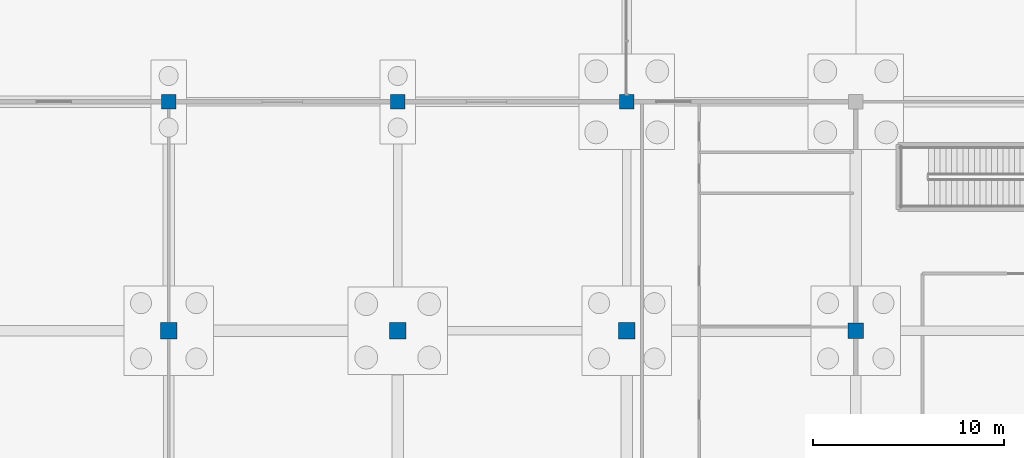
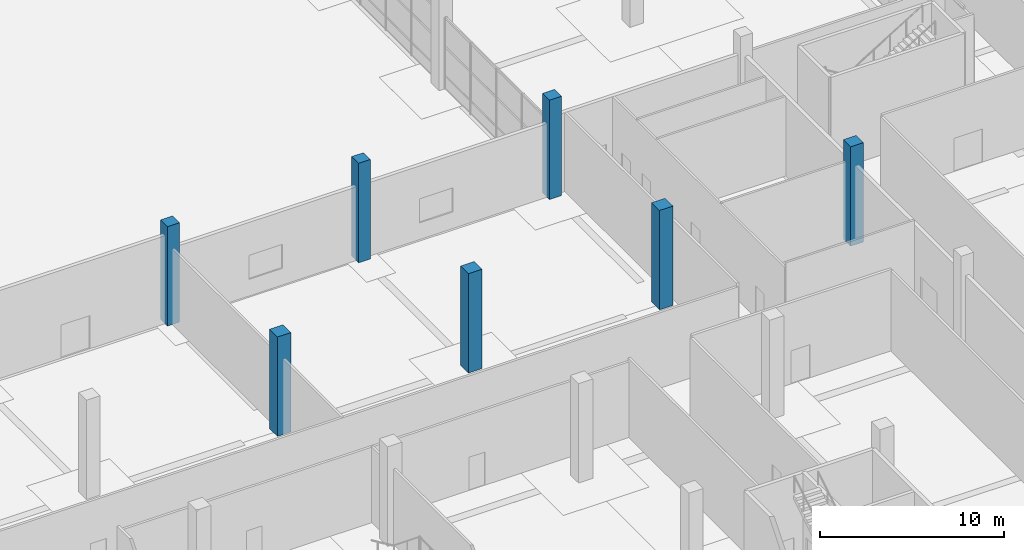
# One storey, part 30 of 117: 7 columns.
"""IFC4 building model written with IfcOpenShell, lengths in metres."""

import ifcopenshell
import ifcopenshell.guid

model = None  # the IFC model being written
_history = None  # IfcOwnerHistory: only IFC2X3 demands one
_inside = {}  # id of a spatial element -> (the spatial element, [elements in it])
_under = {}  # id of a project, library or spatial element -> (it, [spatial elements below it])
_declared = {}  # id of a project -> (the project, [libraries it declares])
_typed = {}  # id of a type object -> (the type object, [elements of that type])
_made_of = {}  # id of a material, layer set ... -> (it, [elements and type objects made of it])


def new_model(schema):
    """Start an empty IFC model of exactly this schema.

    Asked for "IFC4X3", IfcOpenShell would pick the latest addendum, in which some entities
    have other attributes; the version numbers below select the first issue.
    IFC2X3 requires an IfcOwnerHistory on every rooted entity: one is made here for all.
    """
    global model, _history
    if schema == "IFC4X3":
        model = ifcopenshell.file(schema_version=(4, 3, 0, 0))
    else:
        model = ifcopenshell.file(schema=schema)
    _inside.clear()
    _under.clear()
    _declared.clear()
    _typed.clear()
    _made_of.clear()
    _history = None
    if model.schema == "IFC2X3":
        org = make("IfcOrganization", Name="unknown")
        user = make(
            "IfcPersonAndOrganization",
            ThePerson=make("IfcPerson", FamilyName="unknown"),
            TheOrganization=org,
        )
        app = make(
            "IfcApplication",
            ApplicationDeveloper=org,
            Version="unknown",
            ApplicationFullName="unknown",
            ApplicationIdentifier="unknown",
        )
        _history = make(
            "IfcOwnerHistory",
            OwningUser=user,
            OwningApplication=app,
            ChangeAction="ADDED",
            CreationDate=0,
        )
    return model


def make(cls, **values):
    """One entity of the class cls with the attributes given. An attribute that is None is left unset."""
    return model.create_entity(
        cls, **{name: value for name, value in values.items() if value is not None}
    )


def rooted(cls, **values):
    """An entity with a GlobalId (a new one), such as an element, a storey or a relation."""
    return make(cls, GlobalId=ifcopenshell.guid.new(), OwnerHistory=_history, **values)


def si_unit(unit_type, name, prefix=None):
    """IfcSIUnit, for example si_unit("LENGTHUNIT", "METRE", prefix="MILLI")."""
    return make("IfcSIUnit", UnitType=unit_type, Prefix=prefix, Name=name)


def assignment(units):
    """IfcUnitAssignment: the units of a project."""
    return None if units is None else make("IfcUnitAssignment", Units=units)


def point(xyz):
    """IfcCartesianPoint."""
    return None if xyz is None else make("IfcCartesianPoint", Coordinates=xyz)


def direction(xyz):
    """IfcDirection."""
    return None if xyz is None else make("IfcDirection", DirectionRatios=xyz)


def frame(location, z_axis=None, x_axis=None):
    """IfcAxis2Placement3D, a coordinate frame: its origin and axes. An axis left out is left unset."""
    return make(
        "IfcAxis2Placement3D",
        Location=point(location),
        Axis=direction(z_axis),
        RefDirection=direction(x_axis),
    )


def frame_2d(location, x_axis=None):
    """IfcAxis2Placement2D, a coordinate frame in the plane: its origin and x axis."""
    return make(
        "IfcAxis2Placement2D", Location=point(location), RefDirection=direction(x_axis)
    )


def origin():
    """The frame at (0, 0, 0) with its axes left unset."""
    return frame((0.0, 0.0, 0.0))


def origin_2d():
    """The frame at (0, 0) in the plane with its x axis left unset."""
    return frame_2d((0.0, 0.0))


def place(relative_to, where):
    """IfcLocalPlacement: puts the frame where relative to a parent placement (None: the world)."""
    return make(
        "IfcLocalPlacement", PlacementRelTo=relative_to, RelativePlacement=where
    )


def context(
    kind, dimensions, precision=None, world=None, true_north=None, identifier=None
):
    """IfcGeometricRepresentationContext, for example the 3D "Model" context."""
    return make(
        "IfcGeometricRepresentationContext",
        ContextIdentifier=identifier,
        ContextType=kind,
        CoordinateSpaceDimension=dimensions,
        Precision=precision,
        WorldCoordinateSystem=world,
        TrueNorth=true_north,
    )


def subcontext(parent, identifier, kind, view, scale=None):
    """IfcGeometricRepresentationSubContext, for example "Body" below "Model"."""
    return make(
        "IfcGeometricRepresentationSubContext",
        ContextIdentifier=identifier,
        ContextType=kind,
        ParentContext=parent,
        TargetScale=scale,
        TargetView=view,
    )


def project(units=None, contexts=None):
    """IfcProject with its units and contexts."""
    return rooted(
        "IfcProject",
        Name="project",
        RepresentationContexts=contexts,
        UnitsInContext=assignment(units),
    )


def spatial(cls, under=None, at=None, **own):
    """A site, building, storey or space (cls), placed at a placement, below another one or the project."""
    s = rooted(cls, ObjectPlacement=at, **own)
    if under is not None:
        _under.setdefault(under.id(), (under, []))[1].append(s)
    return s


def profile(cls, at=None, kind="AREA", **sizes):
    """A parametric profile (cls). Its sizes go by their IFC names, for example OverallWidth=200.0."""
    return make(cls, ProfileType=kind, Position=at, **sizes)


def rectangle(**sizes):
    """IfcRectangleProfileDef."""
    return profile("IfcRectangleProfileDef", **sizes)


def extrude(swept, where, along, depth):
    """IfcExtrudedAreaSolid: the profile swept, set in the frame where, extruded along a direction by depth."""
    return make(
        "IfcExtrudedAreaSolid",
        SweptArea=swept,
        Position=where,
        ExtrudedDirection=direction(along),
        Depth=depth,
    )


def shape(context_of_items, identifier, shape_type, items):
    """IfcShapeRepresentation: the items that make up one representation, for example the "Body"."""
    return make(
        "IfcShapeRepresentation",
        ContextOfItems=context_of_items,
        RepresentationIdentifier=identifier,
        RepresentationType=shape_type,
        Items=items,
    )


def material(Name=None, Category=None):
    """IfcMaterial."""
    return make("IfcMaterial", Name=Name, Category=Category)


def material_profile(
    of_material, cross_section, Name=None, Category=None, Priority=None
):
    """IfcMaterialProfile: a cross section and its material."""
    return make(
        "IfcMaterialProfile",
        Name=Name,
        Material=of_material,
        Profile=cross_section,
        Priority=Priority,
        Category=Category,
    )


def profile_set(profiles, Name=None, composite=None):
    """IfcMaterialProfileSet."""
    return make(
        "IfcMaterialProfileSet",
        Name=Name,
        MaterialProfiles=profiles,
        CompositeProfile=composite,
    )


def made_of(thing, what):
    """Note that an element or type object is made of a material, layer set ...; save() writes the relation."""
    if what is not None:
        _made_of.setdefault(what.id(), (what, []))[1].append(thing)
    return thing


def type_object(cls, material=None, **own):
    """A type object (cls), such as IfcWallType, which elements share."""
    return made_of(rooted(cls, **own), material)


def element(
    cls,
    number,
    at=None,
    inside=None,
    cuts=None,
    type_object=None,
    material=None,
    context=None,
    identifier="Body",
    shape_type=None,
    held_by="IfcProductDefinitionShape",
    body=None,
    shapes=None,
    **own,
):
    """One element of the class cls, such as IfcWall. Its Tag is "e" and its number.

    at: its placement. inside: the storey or other place that contains it. cuts: it is an
    opening in that element (IfcRelVoidsElement). A single representation is given by context,
    identifier, shape_type and body (its items); several are given by shapes. held_by: the class
    of the entity that holds the representations. save() writes the other relations.
    """
    e = rooted(cls, Tag="e%d" % number, ObjectPlacement=at, **own)
    if body is not None:
        shapes = [shape(context, identifier, shape_type, body)]
    if shapes is not None:
        e.Representation = make(held_by, Representations=shapes)
    if inside is not None:
        _inside.setdefault(inside.id(), (inside, []))[1].append(e)
    if cuts is not None:
        rooted(
            "IfcRelVoidsElement", RelatingBuildingElement=cuts, RelatedOpeningElement=e
        )
    if type_object is not None:
        _typed.setdefault(type_object.id(), (type_object, []))[1].append(e)
    return made_of(e, material)


def aggregate(whole, parts):
    """IfcRelAggregates: a whole, such as a stair, and the parts it consists of."""
    return rooted("IfcRelAggregates", RelatingObject=whole, RelatedObjects=parts)


def save(model, path):
    """Write the relations noted so far, then the file.

    IfcRelAggregates (storeys below a building ...), IfcRelContainedInSpatialStructure (elements
    in a storey), IfcRelDefinesByType, IfcRelAssociatesMaterial and IfcRelDeclares: one each for
    every whole, place, type object, material and project.
    """
    for whole, parts in _under.values():
        aggregate(whole, parts)
    for where, things in _inside.values():
        rooted(
            "IfcRelContainedInSpatialStructure",
            RelatedElements=things,
            RelatingStructure=where,
        )
    for kind, things in _typed.values():
        rooted("IfcRelDefinesByType", RelatedObjects=things, RelatingType=kind)
    for what, things in _made_of.values():
        rooted("IfcRelAssociatesMaterial", RelatedObjects=things, RelatingMaterial=what)
    for by, libraries in _declared.values():
        rooted("IfcRelDeclares", RelatingContext=by, RelatedDefinitions=libraries)
    model.write(path)


model = new_model("IFC4")

# Units and contexts
model_context = context("Model", 3, precision=1e-05, world=origin(), true_north=direction((0.0, 1.0)))
body_context = subcontext(model_context, "Body", "Model", "MODEL_VIEW")
ifc_project = project(units=[si_unit("LENGTHUNIT", "METRE"), si_unit("AREAUNIT", "SQUARE_METRE"), si_unit("VOLUMEUNIT", "CUBIC_METRE"), si_unit("PLANEANGLEUNIT", "RADIAN"), si_unit("MASSUNIT", "GRAM", prefix="KILO")], contexts=[model_context])

# Site, building, storey
site_placement = place(None, origin())
site = spatial("IfcSite", under=ifc_project, at=site_placement, CompositionType="ELEMENT")
building_placement = place(site_placement, origin())
building = spatial("IfcBuilding", under=site, at=building_placement, Name="Kamomehara Wholesale Market", CompositionType="ELEMENT")
storey_placement = place(building_placement, origin())
storey = spatial("IfcBuildingStorey", under=building, at=storey_placement, Name="L00", CompositionType="ELEMENT", Elevation=0.0)

# Columns
ifc_material_1 = material(Name="Precast concrete Fc45 (C40/50)", Category="concrete")
ifc_material_profile_1 = material_profile(ifc_material_1, rectangle(XDim=0.75, YDim=0.75, at=origin_2d()), Name="PC-COL-750x750")
ifc_profile_set_1 = profile_set([ifc_material_profile_1], Name="Precast concrete Fc45 (C40/50)")
column_type_1 = type_object("IfcColumnType", Name="COL-PC750-EXT", PredefinedType="COLUMN", material=ifc_profile_set_1)
for number, where, z_axis, x_axis, name in (
    (1, (132.0, 60.0, 0.0), (0.0, 0.0, 1.0), (1.0, 0.0, 0.0), "Column C-04E L00"),
    (2, (144.0, 60.0, 0.0), (0.0, 0.0, 1.0), (1.0, 0.0, 0.0), "Column C-04E L00"),
    (3, (156.0, 60.0, 0.0), (0.0, 0.0, 1.0), (1.0, 0.0, 0.0), "Column C-04E L00"),
):
    element("IfcColumn", number, at=place(storey_placement, frame(where, z_axis=z_axis, x_axis=x_axis)), inside=storey, type_object=column_type_1, Name=name, PredefinedType="COLUMN", context=body_context, shape_type="SweptSolid", body=[
        extrude(rectangle(XDim=0.75, YDim=0.75, at=origin_2d()), origin(), (0.0, 0.0, 1.0), 6.60009765625),
    ])
ifc_material_2 = material(Name="Precast concrete Fc45 (C40/50)", Category="concrete")
ifc_material_profile_2 = material_profile(ifc_material_2, rectangle(XDim=0.800048828125, YDim=0.800048828125, at=origin_2d()), Name="PC-COL-800x800")
ifc_profile_set_2 = profile_set([ifc_material_profile_2], Name="Precast concrete Fc45 (C40/50)")
column_type_2 = type_object("IfcColumnType", Name="COL-PC800-EXT", PredefinedType="COLUMN", material=ifc_profile_set_2)
column_placement = place(storey_placement, frame((168.0, 48.0, 0.0), z_axis=(0.0, 0.0, 1.0), x_axis=(1.0, 0.0, 0.0)))
element("IfcColumn", 4, at=column_placement, inside=storey, type_object=column_type_2, Name="Column C-03E L00", PredefinedType="COLUMN", context=body_context, shape_type="SweptSolid", body=[
    extrude(rectangle(XDim=0.800048828125, YDim=0.800048828125, at=origin_2d()), origin(), (0.0, 0.0, 1.0), 6.60009765625),
])
ifc_material_3 = material(Name="Precast concrete Fc45 (C40/50)", Category="concrete")
ifc_material_profile_3 = material_profile(ifc_material_3, rectangle(XDim=0.85009765625, YDim=0.85009765625, at=origin_2d()), Name="PC-COL-850x850")
ifc_profile_set_3 = profile_set([ifc_material_profile_3], Name="Precast concrete Fc45 (C40/50)")
column_type_3 = type_object("IfcColumnType", Name="COL-PC850-EXT", PredefinedType="COLUMN", material=ifc_profile_set_3)
for number, where, z_axis, x_axis, name in (
    (5, (132.0, 48.0, 0.0), (0.0, 0.0, 1.0), (1.0, 0.0, 0.0), "Column C-02E L00"),
    (6, (144.0, 48.0, 0.0), (0.0, 0.0, 1.0), (1.0, 0.0, 0.0), "Column C-02E L00"),
    (7, (156.0, 48.0, 0.0), (0.0, 0.0, 1.0), (1.0, 0.0, 0.0), "Column C-02E L00"),
):
    element("IfcColumn", number, at=place(storey_placement, frame(where, z_axis=z_axis, x_axis=x_axis)), inside=storey, type_object=column_type_3, Name=name, PredefinedType="COLUMN", context=body_context, shape_type="SweptSolid", body=[
        extrude(rectangle(XDim=0.85009765625, YDim=0.85009765625, at=origin_2d()), origin(), (0.0, 0.0, 1.0), 6.60009765625),
    ])

save(model, "model.ifc")
